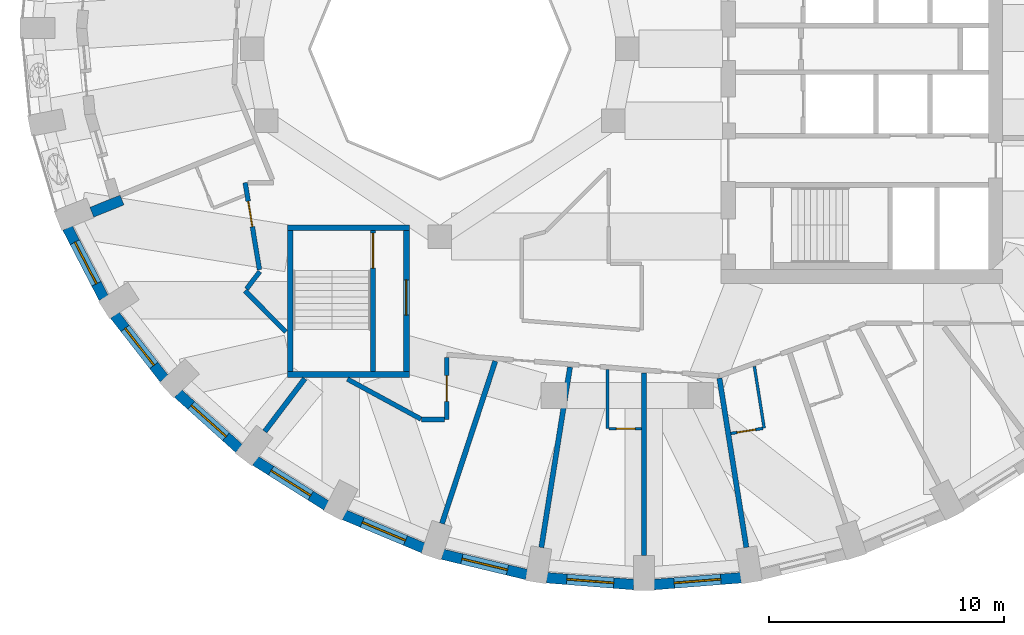
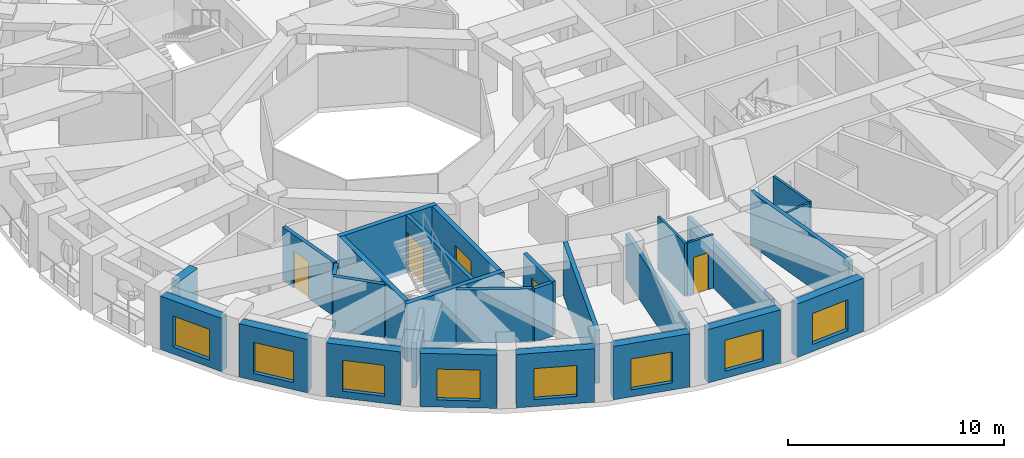
# One storey, part 3 of 12: 29 walls, 8 windows, 6 doors, 14 openings.
"""IFC4 building model written with IfcOpenShell, lengths in metres."""

from ifc_helpers import new_model, si_unit, direction, frame, frame_2d, origin, place, context, subcontext, project, spatial, rectangle, extrude, material, layer, layer_set, type_object, element, fill, save


model = new_model("IFC4")

# Units and contexts
model_context = context("Model", 3, precision=1e-05, world=origin(), true_north=direction((0.0, 1.0)))
body_context = subcontext(model_context, "Body", "Model", "MODEL_VIEW")
ifc_project = project(units=[si_unit("LENGTHUNIT", "METRE"), si_unit("AREAUNIT", "SQUARE_METRE"), si_unit("VOLUMEUNIT", "CUBIC_METRE"), si_unit("PLANEANGLEUNIT", "RADIAN"), si_unit("MASSUNIT", "GRAM", prefix="KILO")], contexts=[model_context])

# Site, building, storey
site_placement = place(None, origin())
site = spatial("IfcSite", under=ifc_project, at=site_placement, CompositionType="ELEMENT")
building_placement = place(site_placement, origin())
building = spatial("IfcBuilding", under=site, at=building_placement, Name="Taillehof Tower", CompositionType="ELEMENT")
storey_placement = place(building_placement, frame((0.0, 0.0, 195.800048828125)))
storey = spatial("IfcBuildingStorey", under=building, at=storey_placement, Name="L55", CompositionType="ELEMENT", Elevation=195.800048828125)

# Wall, opening, window
ifc_material_1 = material(Name="Brick masonry", Category="masonry")
ifc_layer_1 = layer(ifc_material_1, 0.449951171875)
ifc_layer_set_1 = layer_set([ifc_layer_1], Name="Brick infill wall 450")
wall_type_1 = type_object("IfcWallType", Name="Brick infill wall 450", PredefinedType="SOLIDWALL", material=ifc_layer_set_1)
wall_1_placement = place(storey_placement, frame((-23.878173828125, -7.631591796875, 0.0), z_axis=(0.0, 0.0, 1.0), x_axis=(0.460232593174, -0.887798378113, 0.0)))
wall_1 = element("IfcWall", 1, at=wall_1_placement, inside=storey, type_object=wall_type_1, Name="Brick wall L55 bay 21", PredefinedType="SOLIDWALL", context=body_context, shape_type="SweptSolid", body=[
    extrude(rectangle(XDim=3.37060546875, YDim=0.449951171875, at=frame_2d((1.685302734375, 0.0))), origin(), (0.0, 0.0, 1.0), 3.02001953125),
])
opening_1_placement = place(wall_1_placement, frame((0.685302734375, 0.0, 0.39990234375)))
opening_1 = element("IfcOpeningElement", 2, at=opening_1_placement, cuts=wall_1, Name="Opening W2", PredefinedType="OPENING", context=body_context, shape_type="SweptSolid", body=[
    extrude(rectangle(XDim=2.0, YDim=1.75, at=frame_2d((1.0, 0.875))), frame((0.0, 0.23486328125, 0.0), z_axis=(0.0, -1.0, 0.0), x_axis=(1.0, 0.0, 0.0)), (0.0, 0.0, 1.0), 0.469970703125),
])
ifc_material_2 = material(Name="Aluminium window frame with clear double glazing", Category="aluminium")
window_type = type_object("IfcWindowType", Name="Deep-set window 2000x1750", PartitioningType="SINGLE_PANEL", PredefinedType="WINDOW", material=ifc_material_2)
window_1_placement = place(opening_1_placement, origin())
window_1 = element("IfcWindow", 3, at=window_1_placement, inside=storey, type_object=window_type, Name="W2", OverallHeight=1.75, OverallWidth=2.0, PartitioningType="SINGLE_PANEL", PredefinedType="WINDOW", context=body_context, shape_type="SweptSolid", body=[
    extrude(rectangle(XDim=2.0, YDim=1.75, at=frame_2d((1.0, 0.875))), frame((0.0, 0.034912109375, 0.0), z_axis=(0.0, -1.0, 0.0), x_axis=(1.0, 0.0, 0.0)), (0.0, 0.0, 1.0), 0.06005859375),
])
fill(opening_1, window_1)

wall_2_placement = place(storey_placement, frame((-21.86279296875, -11.348388671875, 0.0), z_axis=(0.0, 0.0, 1.0), x_axis=(0.614255239631, -0.789107407509, 0.0)))
wall_2 = element("IfcWall", 4, at=wall_2_placement, inside=storey, type_object=wall_type_1, Name="Brick wall L55 bay 22", PredefinedType="SOLIDWALL", context=body_context, shape_type="SweptSolid", body=[
    extrude(rectangle(XDim=3.4375, YDim=0.449951171875, at=frame_2d((1.71875, 0.0))), origin(), (0.0, 0.0, 1.0), 3.02001953125),
])
opening_2_placement = place(wall_2_placement, frame((0.71875, 0.0, 0.39990234375)))
opening_2 = element("IfcOpeningElement", 5, at=opening_2_placement, cuts=wall_2, Name="Opening W2", PredefinedType="OPENING", context=body_context, shape_type="SweptSolid", body=[
    extrude(rectangle(XDim=2.0, YDim=1.75, at=frame_2d((1.0, 0.875))), frame((0.0, 0.23486328125, 0.0), z_axis=(0.0, -1.0, 0.0), x_axis=(1.0, 0.0, 0.0)), (0.0, 0.0, 1.0), 0.469970703125),
])
window_2_placement = place(opening_2_placement, origin())
window_2 = element("IfcWindow", 6, at=window_2_placement, inside=storey, type_object=window_type, Name="W2", OverallHeight=1.75, OverallWidth=2.0, PartitioningType="SINGLE_PANEL", PredefinedType="WINDOW", context=body_context, shape_type="SweptSolid", body=[
    extrude(rectangle(XDim=2.0, YDim=1.75, at=frame_2d((1.0, 0.875))), frame((0.0, 0.034912109375, 0.0), z_axis=(0.0, -1.0, 0.0), x_axis=(1.0, 0.0, 0.0)), (0.0, 0.0, 1.0), 0.06005859375),
])
fill(opening_2, window_2)

wall_3_placement = place(storey_placement, frame((-19.1650390625, -14.6904296875, 0.0), z_axis=(0.0, 0.0, 1.0), x_axis=(0.743442727602, -0.668799604348, 0.0)))
wall_3 = element("IfcWall", 7, at=wall_3_placement, inside=storey, type_object=wall_type_1, Name="Brick wall L55 bay 23", PredefinedType="SOLIDWALL", context=body_context, shape_type="SweptSolid", body=[
    extrude(rectangle(XDim=3.5126953125, YDim=0.449951171875, at=frame_2d((1.75634765625, 0.0))), origin(), (0.0, 0.0, 1.0), 3.02001953125),
])
opening_3_placement = place(wall_3_placement, frame((0.75634765625, 0.0, 0.39990234375)))
opening_3 = element("IfcOpeningElement", 8, at=opening_3_placement, cuts=wall_3, Name="Opening W2", PredefinedType="OPENING", context=body_context, shape_type="SweptSolid", body=[
    extrude(rectangle(XDim=2.0, YDim=1.75, at=frame_2d((1.0, 0.875))), frame((0.0, 0.23486328125, 0.0), z_axis=(0.0, -1.0, 0.0), x_axis=(1.0, 0.0, 0.0)), (0.0, 0.0, 1.0), 0.469970703125),
])
window_3_placement = place(opening_3_placement, origin())
window_3 = element("IfcWindow", 9, at=window_3_placement, inside=storey, type_object=window_type, Name="W2", OverallHeight=1.75, OverallWidth=2.0, PartitioningType="SINGLE_PANEL", PredefinedType="WINDOW", context=body_context, shape_type="SweptSolid", body=[
    extrude(rectangle(XDim=2.0, YDim=1.75, at=frame_2d((1.0, 0.875))), frame((0.0, 0.034912109375, 0.0), z_axis=(0.0, -1.0, 0.0), x_axis=(1.0, 0.0, 0.0)), (0.0, 0.0, 1.0), 0.06005859375),
])
fill(opening_3, window_3)

wall_4_placement = place(storey_placement, frame((-15.8671875, -17.55859375, 0.0), z_axis=(0.0, 0.0, 1.0), x_axis=(0.84616917791, -0.532914366813, 0.0)))
wall_4 = element("IfcWall", 10, at=wall_4_placement, inside=storey, type_object=wall_type_1, Name="Brick wall L55 bay 24", PredefinedType="SOLIDWALL", context=body_context, shape_type="SweptSolid", body=[
    extrude(rectangle(XDim=3.586669921875, YDim=0.449951171875, at=frame_2d((1.79345703125, 0.0))), origin(), (0.0, 0.0, 1.0), 3.02001953125),
])
opening_4_placement = place(wall_4_placement, frame((0.79345703125, 0.0, 0.39990234375)))
opening_4 = element("IfcOpeningElement", 11, at=opening_4_placement, cuts=wall_4, Name="Opening W2", PredefinedType="OPENING", context=body_context, shape_type="SweptSolid", body=[
    extrude(rectangle(XDim=2.0, YDim=1.75, at=frame_2d((1.0, 0.875))), frame((0.0, 0.23486328125, 0.0), z_axis=(0.0, -1.0, 0.0), x_axis=(1.0, 0.0, 0.0)), (0.0, 0.0, 1.0), 0.469970703125),
])
window_4_placement = place(opening_4_placement, origin())
window_4 = element("IfcWindow", 12, at=window_4_placement, inside=storey, type_object=window_type, Name="W2", OverallHeight=1.75, OverallWidth=2.0, PartitioningType="SINGLE_PANEL", PredefinedType="WINDOW", context=body_context, shape_type="SweptSolid", body=[
    extrude(rectangle(XDim=2.0, YDim=1.75, at=frame_2d((1.0, 0.875))), frame((0.0, 0.034912109375, 0.0), z_axis=(0.0, -1.0, 0.0), x_axis=(1.0, 0.0, 0.0)), (0.0, 0.0, 1.0), 0.06005859375),
])
fill(opening_4, window_4)

wall_5_placement = place(storey_placement, frame((-12.0693359375, -19.866943359375, 0.0), z_axis=(0.0, 0.0, 1.0), x_axis=(0.922168222612, -0.386789050006, 0.0)))
wall_5 = element("IfcWall", 13, at=wall_5_placement, inside=storey, type_object=wall_type_1, Name="Brick wall L55 bay 25", PredefinedType="SOLIDWALL", context=body_context, shape_type="SweptSolid", body=[
    extrude(rectangle(XDim=3.65087890625, YDim=0.449951171875, at=frame_2d((1.825439453125, 0.0))), origin(), (0.0, 0.0, 1.0), 3.02001953125),
])
opening_5_placement = place(wall_5_placement, frame((0.825439453125, 0.0, 0.39990234375)))
opening_5 = element("IfcOpeningElement", 14, at=opening_5_placement, cuts=wall_5, Name="Opening W2", PredefinedType="OPENING", context=body_context, shape_type="SweptSolid", body=[
    extrude(rectangle(XDim=2.0, YDim=1.75, at=frame_2d((1.0, 0.875))), frame((0.0, 0.23486328125, 0.0), z_axis=(0.0, -1.0, 0.0), x_axis=(1.0, 0.0, 0.0)), (0.0, 0.0, 1.0), 0.469970703125),
])
window_5_placement = place(opening_5_placement, origin())
window_5 = element("IfcWindow", 15, at=window_5_placement, inside=storey, type_object=window_type, Name="W2", OverallHeight=1.75, OverallWidth=2.0, PartitioningType="SINGLE_PANEL", PredefinedType="WINDOW", context=body_context, shape_type="SweptSolid", body=[
    extrude(rectangle(XDim=2.0, YDim=1.75, at=frame_2d((1.0, 0.875))), frame((0.0, 0.034912109375, 0.0), z_axis=(0.0, -1.0, 0.0), x_axis=(1.0, 0.0, 0.0)), (0.0, 0.0, 1.0), 0.06005859375),
])
fill(opening_5, window_5)

wall_6_placement = place(storey_placement, frame((-7.88525390625, -21.547119140625, 0.0), z_axis=(0.0, 0.0, 1.0), x_axis=(0.9721584944, -0.234324266275, 0.0)))
wall_6 = element("IfcWall", 16, at=wall_6_placement, inside=storey, type_object=wall_type_1, Name="Brick wall L55 bay 26", PredefinedType="SOLIDWALL", context=body_context, shape_type="SweptSolid", body=[
    extrude(rectangle(XDim=3.69775390625, YDim=0.449951171875, at=frame_2d((1.848876953125, 0.0))), origin(), (0.0, 0.0, 1.0), 3.02001953125),
])
opening_6_placement = place(wall_6_placement, frame((0.848876953125, 0.0, 0.39990234375)))
opening_6 = element("IfcOpeningElement", 17, at=opening_6_placement, cuts=wall_6, Name="Opening W2", PredefinedType="OPENING", context=body_context, shape_type="SweptSolid", body=[
    extrude(rectangle(XDim=2.0, YDim=1.75, at=frame_2d((1.0, 0.875))), frame((0.0, 0.23486328125, 0.0), z_axis=(0.0, -1.0, 0.0), x_axis=(1.0, 0.0, 0.0)), (0.0, 0.0, 1.0), 0.469970703125),
])
window_6_placement = place(opening_6_placement, origin())
window_6 = element("IfcWindow", 18, at=window_6_placement, inside=storey, type_object=window_type, Name="W2", OverallHeight=1.75, OverallWidth=2.0, PartitioningType="SINGLE_PANEL", PredefinedType="WINDOW", context=body_context, shape_type="SweptSolid", body=[
    extrude(rectangle(XDim=2.0, YDim=1.75, at=frame_2d((1.0, 0.875))), frame((0.0, 0.034912109375, 0.0), z_axis=(0.0, -1.0, 0.0), x_axis=(1.0, 0.0, 0.0)), (0.0, 0.0, 1.0), 0.06005859375),
])
fill(opening_6, window_6)

wall_7_placement = place(storey_placement, frame((-3.441162109375, -22.54833984375, 0.0), z_axis=(0.0, 0.0, 1.0), x_axis=(0.996913971077, -0.078501810629, 0.0)))
wall_7 = element("IfcWall", 19, at=wall_7_placement, inside=storey, type_object=wall_type_1, Name="Brick wall L55 bay 27", PredefinedType="SOLIDWALL", context=body_context, shape_type="SweptSolid", body=[
    extrude(rectangle(XDim=3.72265625, YDim=0.449951171875, at=frame_2d((1.861328125, 0.0))), origin(), (0.0, 0.0, 1.0), 3.02001953125),
])
opening_7_placement = place(wall_7_placement, frame((0.861328125, 0.0, 0.39990234375)))
opening_7 = element("IfcOpeningElement", 20, at=opening_7_placement, cuts=wall_7, Name="Opening W2", PredefinedType="OPENING", context=body_context, shape_type="SweptSolid", body=[
    extrude(rectangle(XDim=2.0, YDim=1.75, at=frame_2d((1.0, 0.875))), frame((0.0, 0.23486328125, 0.0), z_axis=(0.0, -1.0, 0.0), x_axis=(1.0, 0.0, 0.0)), (0.0, 0.0, 1.0), 0.469970703125),
])
window_7_placement = place(opening_7_placement, origin())
window_7 = element("IfcWindow", 21, at=window_7_placement, inside=storey, type_object=window_type, Name="W2", OverallHeight=1.75, OverallWidth=2.0, PartitioningType="SINGLE_PANEL", PredefinedType="WINDOW", context=body_context, shape_type="SweptSolid", body=[
    extrude(rectangle(XDim=2.0, YDim=1.75, at=frame_2d((1.0, 0.875))), frame((0.0, 0.034912109375, 0.0), z_axis=(0.0, -1.0, 0.0), x_axis=(1.0, 0.0, 0.0)), (0.0, 0.0, 1.0), 0.06005859375),
])
fill(opening_7, window_7)

wall_8_placement = place(storey_placement, frame((1.130126953125, -22.840576171875, 0.0), z_axis=(0.0, 0.0, 1.0), x_axis=(0.996913566885, 0.078506943392, 0.0)))
wall_8 = element("IfcWall", 22, at=wall_8_placement, inside=storey, type_object=wall_type_1, Name="Brick wall L55 bay 28", PredefinedType="SOLIDWALL", context=body_context, shape_type="SweptSolid", body=[
    extrude(rectangle(XDim=3.722412109375, YDim=0.449951171875, at=frame_2d((1.861328125, 0.0))), origin(), (0.0, 0.0, 1.0), 3.02001953125),
])
opening_8_placement = place(wall_8_placement, frame((0.861328125, 0.0, 0.39990234375)))
opening_8 = element("IfcOpeningElement", 23, at=opening_8_placement, cuts=wall_8, Name="Opening W2", PredefinedType="OPENING", context=body_context, shape_type="SweptSolid", body=[
    extrude(rectangle(XDim=2.0, YDim=1.75, at=frame_2d((1.0, 0.875))), frame((0.0, 0.23486328125, 0.0), z_axis=(0.0, -1.0, 0.0), x_axis=(1.0, 0.0, 0.0)), (0.0, 0.0, 1.0), 0.469970703125),
])
window_8_placement = place(opening_8_placement, origin())
window_8 = element("IfcWindow", 24, at=window_8_placement, inside=storey, type_object=window_type, Name="W2", OverallHeight=1.75, OverallWidth=2.0, PartitioningType="SINGLE_PANEL", PredefinedType="WINDOW", context=body_context, shape_type="SweptSolid", body=[
    extrude(rectangle(XDim=2.0, YDim=1.75, at=frame_2d((1.0, 0.875))), frame((0.0, 0.034912109375, 0.0), z_axis=(0.0, -1.0, 0.0), x_axis=(1.0, 0.0, 0.0)), (0.0, 0.0, 1.0), 0.06005859375),
])
fill(opening_8, window_8)

# Wall
wall_9_placement = place(storey_placement, frame((-22.839599609375, -6.963623046875, 0.0), z_axis=(0.0, 0.0, 1.0), x_axis=(0.92737073954, 0.374143704271, 0.0)))
element("IfcWall", 25, at=wall_9_placement, inside=storey, type_object=wall_type_1, Name="Brick reveal L55 pocket 5", PredefinedType="SOLIDWALL", context=body_context, shape_type="SweptSolid", body=[
    extrude(rectangle(XDim=1.390625, YDim=0.449951171875, at=frame_2d((0.6953125, 0.0))), origin(), (0.0, 0.0, 1.0), 3.02001953125),
])

# Wall, opening, door
ifc_material_3 = material(Name="Gypsum board on steel studs, two layers each side", Category="steel")
ifc_layer_2 = layer(ifc_material_3, 0.199951171875)
ifc_layer_set_2 = layer_set([ifc_layer_2], Name="Compartment wall corridor 200")
wall_type_2 = type_object("IfcWallType", Name="Compartment wall corridor 200", PredefinedType="PARTITIONING", material=ifc_layer_set_2)
wall_10_placement = place(storey_placement, frame((-7.699951171875, -13.15380859375, 0.0), z_axis=(0.0, 0.0, 1.0), x_axis=(0.0, -1.0, 0.0)))
wall_10 = element("IfcWall", 26, at=wall_10_placement, inside=storey, type_object=wall_type_2, Name="Compartment wall", PredefinedType="PARTITIONING", context=body_context, shape_type="SweptSolid", body=[
    extrude(rectangle(XDim=2.646240234375, YDim=0.199951171875, at=frame_2d((1.3232421875, 0.0))), origin(), (0.0, 0.0, 1.0), 3.02001953125),
])
opening_9_placement = place(wall_10_placement, frame((0.773193359375, 0.0, 0.0)))
opening_9 = element("IfcOpeningElement", 27, at=opening_9_placement, cuts=wall_10, Name="Opening D5557", PredefinedType="OPENING", context=body_context, shape_type="SweptSolid", body=[
    extrude(rectangle(XDim=1.10009765625, YDim=2.10009765625, at=frame_2d((0.550048828125, 1.050048828125))), frame((0.0, 0.10986328125, 0.0), z_axis=(0.0, -1.0, 0.0), x_axis=(1.0, 0.0, 0.0)), (0.0, 0.0, 1.0), 0.219970703125),
])
ifc_material_4 = material(Name="Timber door leaf in steel frame", Category="steel")
door_type_1 = type_object("IfcDoorType", Name="Suite entrance door EI 30 1100 x 2100", OperationType="SINGLE_SWING_LEFT", PredefinedType="DOOR", material=ifc_material_4)
door_1_placement = place(opening_9_placement, origin())
door_1 = element("IfcDoor", 28, at=door_1_placement, inside=storey, type_object=door_type_1, Name="D5557", OperationType="SINGLE_SWING_LEFT", OverallHeight=2.10009765625, OverallWidth=1.10009765625, PredefinedType="DOOR", context=body_context, shape_type="SweptSolid", body=[
    extrude(rectangle(XDim=1.10009765625, YDim=2.10009765625, at=frame_2d((0.550048828125, 1.050048828125))), frame((0.0, 0.02490234375, 0.0), z_axis=(0.0, -1.0, 0.0), x_axis=(1.0, 0.0, 0.0)), (0.0, 0.0, 1.0), 0.050048828125),
])
fill(opening_9, door_1)

# Walls
wall_11_placement = place(storey_placement, frame((-7.800048828125, -15.800048828125, 0.0), z_axis=(0.0, 0.0, 1.0), x_axis=(-1.0, 0.0, 0.0)))
element("IfcWall", 29, at=wall_11_placement, inside=storey, type_object=wall_type_2, Name="Compartment wall", PredefinedType="PARTITIONING", context=body_context, shape_type="SweptSolid", body=[
    extrude(rectangle(XDim=0.970458984375, YDim=0.199951171875, at=frame_2d((0.4853515625, 0.0))), origin(), (0.0, 0.0, 1.0), 3.02001953125),
])
wall_12_placement = place(storey_placement, frame((-8.8056640625, -15.781005859375, 0.0), z_axis=(0.0, 0.0, 1.0), x_axis=(-0.878760680736, 0.477262680284, 0.0)))
element("IfcWall", 30, at=wall_12_placement, inside=storey, type_object=wall_type_2, Name="Compartment wall", PredefinedType="PARTITIONING", context=body_context, shape_type="SweptSolid", body=[
    extrude(rectangle(XDim=3.56396484375, YDim=0.199951171875, at=frame_2d((1.781982421875, 0.0))), origin(), (0.0, 0.0, 1.0), 3.02001953125),
])
wall_13_placement = place(storey_placement, frame((-14.561767578125, -12.064453125, 0.0), z_axis=(0.0, 0.0, 1.0), x_axis=(-0.704826289083, 0.709379942074, 0.0)))
element("IfcWall", 31, at=wall_13_placement, inside=storey, type_object=wall_type_2, Name="Compartment wall", PredefinedType="PARTITIONING", context=body_context, shape_type="SweptSolid", body=[
    extrude(rectangle(XDim=2.46630859375, YDim=0.199951171875, at=frame_2d((1.233154296875, 0.0))), origin(), (0.0, 0.0, 1.0), 3.02001953125),
])
wall_14_placement = place(storey_placement, frame((-16.240234375, -10.235595703125, 0.0), z_axis=(0.0, 0.0, 1.0), x_axis=(0.60389301212, 0.797065386222, 0.0)))
element("IfcWall", 32, at=wall_14_placement, inside=storey, type_object=wall_type_2, Name="Compartment wall", PredefinedType="PARTITIONING", context=body_context, shape_type="SweptSolid", body=[
    extrude(rectangle(XDim=0.931396484375, YDim=0.199951171875, at=frame_2d((0.4658203125, 0.0))), origin(), (0.0, 0.0, 1.0), 3.02001953125),
])

# Wall, opening, door
wall_15_placement = place(storey_placement, frame((-15.6904296875, -9.4140625, 0.0), z_axis=(0.0, 0.0, 1.0), x_axis=(-0.161968669214, 0.986795900981, 0.0)))
wall_15 = element("IfcWall", 33, at=wall_15_placement, inside=storey, type_object=wall_type_2, Name="Compartment wall", PredefinedType="PARTITIONING", context=body_context, shape_type="SweptSolid", body=[
    extrude(rectangle(XDim=3.763916015625, YDim=0.199951171875, at=frame_2d((1.8818359375, 0.0))), origin(), (0.0, 0.0, 1.0), 3.02001953125),
])
opening_10_placement = place(wall_15_placement, frame((1.857666015625, 0.0, 0.0)))
opening_10 = element("IfcOpeningElement", 34, at=opening_10_placement, cuts=wall_15, Name="Opening D5555", PredefinedType="OPENING", context=body_context, shape_type="SweptSolid", body=[
    extrude(rectangle(XDim=1.10009765625, YDim=2.10009765625, at=frame_2d((0.550048828125, 1.050048828125))), frame((0.0, 0.10986328125, 0.0), z_axis=(0.0, -1.0, 0.0), x_axis=(1.0, 0.0, 0.0)), (0.0, 0.0, 1.0), 0.219970703125),
])
door_2_placement = place(opening_10_placement, origin())
door_2 = element("IfcDoor", 35, at=door_2_placement, inside=storey, type_object=door_type_1, Name="D5555", OperationType="SINGLE_SWING_RIGHT", OverallHeight=2.10009765625, OverallWidth=1.10009765625, PredefinedType="DOOR", context=body_context, shape_type="SweptSolid", body=[
    extrude(rectangle(XDim=1.10009765625, YDim=2.10009765625, at=frame_2d((0.550048828125, 1.050048828125))), frame((0.0, 0.02490234375, 0.0), z_axis=(0.0, -1.0, 0.0), x_axis=(1.0, 0.0, 0.0)), (0.0, 0.0, 1.0), 0.050048828125),
])
fill(opening_10, door_2)

# Walls
ifc_material_5 = material(Name="Gypsum board on double steel studs with mineral wool", Category="steel")
ifc_layer_3 = layer(ifc_material_5, 0.219970703125)
ifc_layer_set_3 = layer_set([ifc_layer_3], Name="Compartment wall guest room 220")
wall_type_3 = type_object("IfcWallType", Name="Compartment wall guest room 220", PredefinedType="PARTITIONING", material=ifc_layer_set_3)
wall_16_placement = place(storey_placement, frame((-15.46337890625, -16.3125, 0.0), z_axis=(0.0, 0.0, 1.0), x_axis=(0.603613294085, 0.797277236101, 0.0)))
element("IfcWall", 36, at=wall_16_placement, inside=storey, type_object=wall_type_3, Name="Compartment wall", PredefinedType="PARTITIONING", context=body_context, shape_type="SweptSolid", body=[
    extrude(rectangle(XDim=2.82763671875, YDim=0.219970703125, at=frame_2d((1.413818359375, 0.0))), origin(), (0.0, 0.0, 1.0), 2.570068359375),
])
wall_17_placement = place(storey_placement, frame((-7.9072265625, -20.2353515625, 0.0), z_axis=(0.0, 0.0, 1.0), x_axis=(0.311980831408, 0.950088396326, 0.0)))
element("IfcWall", 37, at=wall_17_placement, inside=storey, type_object=wall_type_3, Name="Compartment wall", PredefinedType="PARTITIONING", context=body_context, shape_type="SweptSolid", body=[
    extrude(rectangle(XDim=7.283203125, YDim=0.219970703125, at=frame_2d((3.6416015625, 0.0))), origin(), (0.0, 0.0, 1.0), 3.02001953125),
])
wall_18_placement = place(storey_placement, frame((-3.6708984375, -21.256103515625, 0.0), z_axis=(0.0, 0.0, 1.0), x_axis=(0.157083078724, 0.987585391943, 0.0)))
element("IfcWall", 38, at=wall_18_placement, inside=storey, type_object=wall_type_3, Name="Compartment wall", PredefinedType="PARTITIONING", context=body_context, shape_type="SweptSolid", body=[
    extrude(rectangle(XDim=7.78662109375, YDim=0.219970703125, at=frame_2d((3.893310546875, 0.0))), origin(), (0.0, 0.0, 1.0), 2.570068359375),
])
wall_19_placement = place(storey_placement, frame((0.699951171875, -21.60009765625, 0.0), z_axis=(0.0, 0.0, 1.0), x_axis=(0.0, 1.0, 0.0)))
element("IfcWall", 39, at=wall_19_placement, inside=storey, type_object=wall_type_3, Name="Compartment wall", PredefinedType="PARTITIONING", context=body_context, shape_type="SweptSolid", body=[
    extrude(rectangle(XDim=7.786865234375, YDim=0.219970703125, at=frame_2d((3.8935546875, 0.0))), origin(), (0.0, 0.0, 1.0), 2.570068359375),
])
wall_20_placement = place(storey_placement, frame((5.071044921875, -21.256103515625, 0.0), z_axis=(0.0, 0.0, 1.0), x_axis=(-0.157118751406, 0.987579717267, 0.0)))
element("IfcWall", 40, at=wall_20_placement, inside=storey, type_object=wall_type_3, Name="Compartment wall", PredefinedType="PARTITIONING", context=body_context, shape_type="SweptSolid", body=[
    extrude(rectangle(XDim=7.307861328125, YDim=0.219970703125, at=frame_2d((3.65380859375, 0.0))), origin(), (0.0, 0.0, 1.0), 3.02001953125),
])
ifc_material_6 = material(Name="Gypsum board on steel studs, moisture resistant", Category="steel")
ifc_layer_4 = layer(ifc_material_6, 0.1201171875)
ifc_layer_set_4 = layer_set([ifc_layer_4], Name="En-suite wall 120")
wall_type_4 = type_object("IfcWallType", Name="En-suite wall 120", PredefinedType="PARTITIONING", material=ifc_layer_set_4)
wall_21_placement = place(storey_placement, frame((-0.85009765625, -13.671630859375, 0.0), z_axis=(0.0, 0.0, 1.0), x_axis=(0.0, -1.0, 0.0)))
element("IfcWall", 41, at=wall_21_placement, inside=storey, type_object=wall_type_4, Name="En-suite wall", PredefinedType="PARTITIONING", context=body_context, shape_type="SweptSolid", body=[
    extrude(rectangle(XDim=2.521484375, YDim=0.1201171875, at=frame_2d((1.2607421875, 0.0))), origin(), (0.0, 0.0, 1.0), 3.02001953125),
])
wall_22_placement = place(storey_placement, frame((5.412353515625, -13.536376953125, 0.0), z_axis=(0.0, 0.0, 1.0), x_axis=(0.157076497257, -0.987586438753, 0.0)))
element("IfcWall", 42, at=wall_22_placement, inside=storey, type_object=wall_type_4, Name="En-suite wall", PredefinedType="PARTITIONING", context=body_context, shape_type="SweptSolid", body=[
    extrude(rectangle(XDim=2.667236328125, YDim=0.1201171875, at=frame_2d((1.33349609375, 0.0))), origin(), (0.0, 0.0, 1.0), 3.02001953125),
])

# Wall, opening, door
wall_23_placement = place(storey_placement, frame((-0.7900390625, -16.193115234375, 0.0), z_axis=(0.0, 0.0, 1.0), x_axis=(1.0, 0.0, 0.0)))
wall_23 = element("IfcWall", 43, at=wall_23_placement, inside=storey, type_object=wall_type_4, Name="En-suite wall", PredefinedType="PARTITIONING", context=body_context, shape_type="SweptSolid", body=[
    extrude(rectangle(XDim=1.3798828125, YDim=0.1201171875, at=frame_2d((0.68994140625, 0.0))), origin(), (0.0, 0.0, 1.0), 3.02001953125),
])
opening_11_placement = place(wall_23_placement, frame((0.31494140625, 0.0, 0.0)))
opening_11 = element("IfcOpeningElement", 44, at=opening_11_placement, cuts=wall_23, Name="Opening D5560", PredefinedType="OPENING", context=body_context, shape_type="SweptSolid", body=[
    extrude(rectangle(XDim=0.800048828125, YDim=2.10009765625, at=frame_2d((0.39990234375, 1.050048828125))), frame((0.0, 0.070068359375, 0.0), z_axis=(0.0, -1.0, 0.0), x_axis=(1.0, 0.0, 0.0)), (0.0, 0.0, 1.0), 0.14013671875),
])
ifc_material_7 = material(Name="Timber door leaf in steel frame", Category="steel")
door_type_2 = type_object("IfcDoorType", Name="En-suite door 800 x 2100", OperationType="SINGLE_SWING_LEFT", PredefinedType="DOOR", material=ifc_material_7)
door_3_placement = place(opening_11_placement, origin())
door_3 = element("IfcDoor", 45, at=door_3_placement, inside=storey, type_object=door_type_2, Name="D5560", OperationType="SINGLE_SWING_LEFT", OverallHeight=2.10009765625, OverallWidth=0.800048828125, PredefinedType="DOOR", context=body_context, shape_type="SweptSolid", body=[
    extrude(rectangle(XDim=0.800048828125, YDim=2.10009765625, at=frame_2d((0.39990234375, 1.050048828125))), frame((0.0, 0.02490234375, 0.0), z_axis=(0.0, -1.0, 0.0), x_axis=(1.0, 0.0, 0.0)), (0.0, 0.0, 1.0), 0.050048828125),
])
fill(opening_11, door_3)

wall_24_placement = place(storey_placement, frame((5.77197265625, -16.179931640625, 0.0), z_axis=(0.0, 0.0, 1.0), x_axis=(-0.98760899043, -0.156934642514, 0.0)))
wall_24 = element("IfcWall", 46, at=wall_24_placement, inside=storey, type_object=wall_type_4, Name="En-suite wall", PredefinedType="PARTITIONING", context=body_context, shape_type="SweptSolid", body=[
    extrude(rectangle(XDim=1.3798828125, YDim=0.1201171875, at=frame_2d((0.68994140625, 0.0))), origin(), (0.0, 0.0, 1.0), 3.02001953125),
])
opening_12_placement = place(wall_24_placement, frame((0.31494140625, 0.0, 0.0)))
opening_12 = element("IfcOpeningElement", 47, at=opening_12_placement, cuts=wall_24, Name="Opening D5563", PredefinedType="OPENING", context=body_context, shape_type="SweptSolid", body=[
    extrude(rectangle(XDim=0.800048828125, YDim=2.10009765625, at=frame_2d((0.39990234375, 1.050048828125))), frame((0.0, 0.070068359375, 0.0), z_axis=(0.0, -1.0, 0.0), x_axis=(1.0, 0.0, 0.0)), (0.0, 0.0, 1.0), 0.14013671875),
])
door_4_placement = place(opening_12_placement, origin())
door_4 = element("IfcDoor", 48, at=door_4_placement, inside=storey, type_object=door_type_2, Name="D5563", OperationType="SINGLE_SWING_RIGHT", OverallHeight=2.10009765625, OverallWidth=0.800048828125, PredefinedType="DOOR", context=body_context, shape_type="SweptSolid", body=[
    extrude(rectangle(XDim=0.800048828125, YDim=2.10009765625, at=frame_2d((0.39990234375, 1.050048828125))), frame((0.0, 0.02490234375, 0.0), z_axis=(0.0, -1.0, 0.0), x_axis=(1.0, 0.0, 0.0)), (0.0, 0.0, 1.0), 0.050048828125),
])
fill(opening_12, door_4)

ifc_material_8 = material(Name="Concrete C50/60", Category="concrete")
ifc_layer_5 = layer(ifc_material_8, 0.199951171875)
ifc_layer_set_5 = layer_set([ifc_layer_5], Name="Shaft wall C50/60 200")
wall_type_5 = type_object("IfcWallType", Name="Shaft wall C50/60 200", PredefinedType="SHEAR", material=ifc_layer_set_5)
wall_25_placement = place(storey_placement, frame((-10.85009765625, -13.75, 0.0), z_axis=(0.0, 0.0, 1.0), x_axis=(0.0, 1.0, 0.0)))
wall_25 = element("IfcWall", 49, at=wall_25_placement, inside=storey, type_object=wall_type_5, Name="Shaft wall SW", PredefinedType="SHEAR", context=body_context, shape_type="SweptSolid", body=[
    extrude(rectangle(XDim=6.0, YDim=0.199951171875, at=frame_2d((3.0, 0.0))), origin(), (0.0, 0.0, 1.0), 3.02001953125),
])
opening_13_placement = place(wall_25_placement, frame((4.39990234375, 0.0, 0.0)))
opening_13 = element("IfcOpeningElement", 50, at=opening_13_placement, cuts=wall_25, Name="Opening D5513", PredefinedType="OPENING", context=body_context, shape_type="SweptSolid", body=[
    extrude(rectangle(XDim=1.5, YDim=2.10009765625, at=frame_2d((0.75, 1.050048828125))), frame((0.0, 0.10986328125, 0.0), z_axis=(0.0, -1.0, 0.0), x_axis=(1.0, 0.0, 0.0)), (0.0, 0.0, 1.0), 0.219970703125),
])
ifc_material_9 = material(Name="Steel-faced fire door", Category="steel")
door_type_3 = type_object("IfcDoorType", Name="Stair door 1500x2100", OperationType="DOUBLE_DOOR_SINGLE_SWING", PredefinedType="DOOR", material=ifc_material_9)
door_5_placement = place(opening_13_placement, origin())
door_5 = element("IfcDoor", 51, at=door_5_placement, inside=storey, type_object=door_type_3, Name="Stair lobby door S4", OperationType="DOUBLE_DOOR_SINGLE_SWING", OverallHeight=2.10009765625, OverallWidth=1.5, PredefinedType="DOOR", context=body_context, shape_type="SweptSolid", body=[
    extrude(rectangle(XDim=1.5, YDim=2.10009765625, at=frame_2d((0.75, 1.050048828125))), frame((0.0, 0.02490234375, 0.0), z_axis=(0.0, -1.0, 0.0), x_axis=(1.0, 0.0, 0.0)), (0.0, 0.0, 1.0), 0.050048828125),
])
fill(opening_13, door_5)

# Wall
ifc_material_10 = material(Name="Concrete C50/60", Category="concrete")
ifc_layer_6 = layer(ifc_material_10, 0.25)
ifc_layer_set_6 = layer_set([ifc_layer_6], Name="Stair wall C50/60 250")
wall_type_6 = type_object("IfcWallType", Name="Stair wall C50/60 250", PredefinedType="SHEAR", material=ifc_layer_set_6)
wall_26_placement = place(storey_placement, frame((-14.375, -13.75, -0.280029296875), z_axis=(0.0, 0.0, 1.0), x_axis=(0.0, 1.0, 0.0)))
element("IfcWall", 52, at=wall_26_placement, inside=storey, type_object=wall_type_6, Name="Stair wall SC", PredefinedType="SHEAR", context=body_context, shape_type="SweptSolid", body=[
    extrude(rectangle(XDim=6.0, YDim=0.25, at=frame_2d((3.0, 0.0))), origin(), (0.0, 0.0, 1.0), 3.300048828125),
])

# Wall, opening, door
wall_27_placement = place(storey_placement, frame((-9.425048828125, -13.75, -0.280029296875), z_axis=(0.0, 0.0, 1.0), x_axis=(0.0, 1.0, 0.0)))
wall_27 = element("IfcWall", 53, at=wall_27_placement, inside=storey, type_object=wall_type_6, Name="Stair wall SC", PredefinedType="SHEAR", context=body_context, shape_type="SweptSolid", body=[
    extrude(rectangle(XDim=6.0, YDim=0.25, at=frame_2d((3.0, 0.0))), origin(), (0.0, 0.0, 1.0), 3.300048828125),
])
opening_14_placement = place(wall_27_placement, frame((2.39990234375, 0.0, 0.280029296875)))
opening_14 = element("IfcOpeningElement", 54, at=opening_14_placement, cuts=wall_27, Name="Opening D5516", PredefinedType="OPENING", context=body_context, shape_type="SweptSolid", body=[
    extrude(rectangle(XDim=1.5, YDim=2.10009765625, at=frame_2d((0.75, 1.050048828125))), frame((0.0, 0.135009765625, 0.0), z_axis=(0.0, -1.0, 0.0), x_axis=(1.0, 0.0, 0.0)), (0.0, 0.0, 1.0), 0.27001953125),
])
door_6_placement = place(opening_14_placement, origin())
door_6 = element("IfcDoor", 55, at=door_6_placement, inside=storey, type_object=door_type_3, Name="Stair door S4", OperationType="DOUBLE_DOOR_SINGLE_SWING", OverallHeight=2.10009765625, OverallWidth=1.5, PredefinedType="DOOR", context=body_context, shape_type="SweptSolid", body=[
    extrude(rectangle(XDim=1.5, YDim=2.10009765625, at=frame_2d((0.75, 1.050048828125))), frame((0.0, 0.02490234375, 0.0), z_axis=(0.0, -1.0, 0.0), x_axis=(1.0, 0.0, 0.0)), (0.0, 0.0, 1.0), 0.050048828125),
])
fill(opening_14, door_6)

# Walls
for number, where, z_axis, x_axis, name in (
    (56, (-14.5, -7.625, -0.280029296875), (0.0, 0.0, 1.0), (1.0, 0.0, 0.0), "Stair wall SC"),
    (57, (-14.5, -13.875, -0.280029296875), (0.0, 0.0, 1.0), (1.0, 0.0, 0.0), "Stair wall SC"),
):
    element("IfcWall", number, at=place(storey_placement, frame(where, z_axis=z_axis, x_axis=x_axis)), inside=storey, type_object=wall_type_6, Name=name, PredefinedType="SHEAR", context=body_context, shape_type="SweptSolid", body=[
        extrude(rectangle(XDim=5.199951171875, YDim=0.25, at=frame_2d((2.60009765625, 0.0))), origin(), (0.0, 0.0, 1.0), 3.300048828125),
    ])

save(model, "model.ifc")
